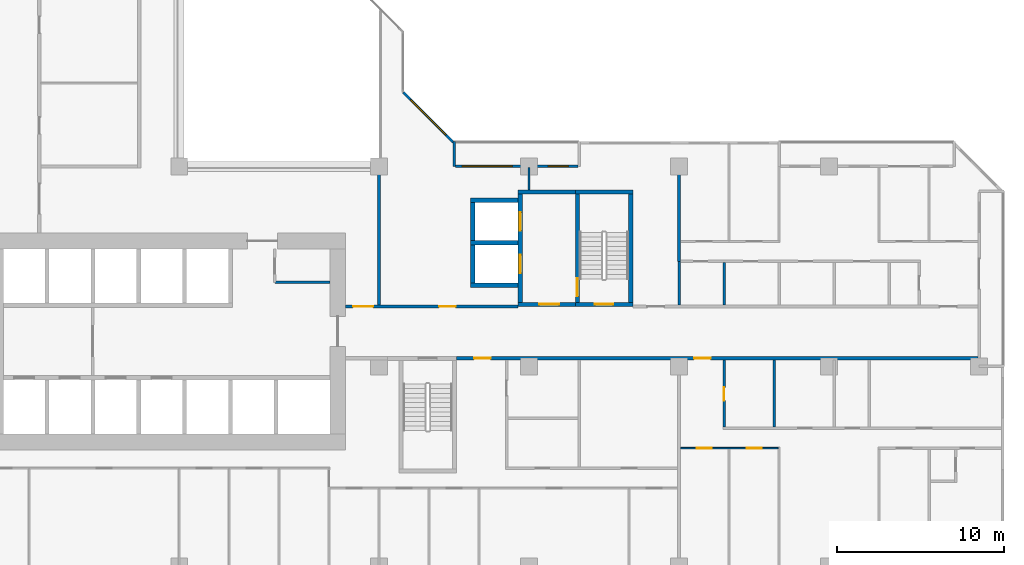
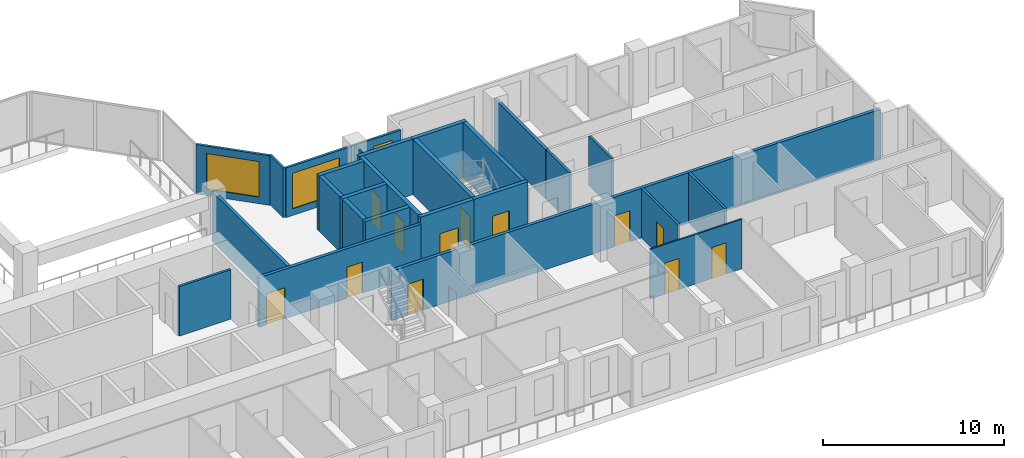
# One storey, part 7 of 16: 26 walls, 12 doors, 3 windows, 15 openings.
"""IFC4 building model written with IfcOpenShell, lengths in metres."""

from ifc_helpers import new_model, si_unit, direction, frame, frame_2d, origin, place, context, subcontext, project, spatial, rectangle, extrude, material, layer, layer_set, type_object, element, fill, save


model = new_model("IFC4")

# Units and contexts
model_context = context("Model", 3, precision=1e-05, world=origin(), true_north=direction((0.0, 1.0)))
body_context = subcontext(model_context, "Body", "Model", "MODEL_VIEW")
ifc_project = project(units=[si_unit("LENGTHUNIT", "METRE"), si_unit("AREAUNIT", "SQUARE_METRE"), si_unit("VOLUMEUNIT", "CUBIC_METRE"), si_unit("PLANEANGLEUNIT", "RADIAN"), si_unit("MASSUNIT", "GRAM", prefix="KILO")], contexts=[model_context])

# Site, building, storey
site_placement = place(None, origin())
site = spatial("IfcSite", under=ifc_project, at=site_placement, CompositionType="ELEMENT")
building_placement = place(site_placement, origin())
building = spatial("IfcBuilding", under=site, at=building_placement, Name="Chenar Terraces", CompositionType="ELEMENT")
storey_placement = place(building_placement, frame((0.0, 0.0, 103.14990234375)))
storey = spatial("IfcBuildingStorey", under=building, at=storey_placement, Name="L23", CompositionType="ELEMENT", Elevation=103.14990234375)

# Wall
ifc_material_1 = material(Name="Gypsum board on steel studs", Category="steel")
ifc_layer_1 = layer(ifc_material_1, 0.14990234375)
ifc_layer_set_1 = layer_set([ifc_layer_1], Name="Gypsum board on steel studs")
wall_type_1 = type_object("IfcWallType", Name="Core partition 150 gypsum board", PredefinedType="PARTITIONING", material=ifc_layer_set_1)
wall_1_placement = place(storey_placement, frame((29.75, 17.050048828125, 0.0), z_axis=(0.0, 0.0, 1.0), x_axis=(1.0, 0.0, 0.0)))
element("IfcWall", 1, at=wall_1_placement, inside=storey, type_object=wall_type_1, Name="Core partition CP1 vestibule room south wall", PredefinedType="PARTITIONING", context=body_context, shape_type="SweptSolid", body=[
    extrude(rectangle(XDim=3.300048828125, YDim=0.14990234375, at=frame_2d((1.64990234375, 0.0))), origin(), (0.0, 0.0, 1.0), 3.35009765625),
])

# Wall, opening, door
ifc_material_2 = material(Name="Concrete C70/85", Category="concrete")
ifc_layer_2 = layer(ifc_material_2, 0.25)
ifc_layer_set_2 = layer_set([ifc_layer_2], Name="Concrete C70/85")
wall_type_2 = type_object("IfcWallType", Name="Core wall 250 Concrete C70/85", PredefinedType="SHEAR", material=ifc_layer_set_2)
wall_2_placement = place(storey_placement, frame((47.77490234375, 15.72509765625, 0.0), z_axis=(0.0, 0.0, 1.0), x_axis=(1.0, 0.0, 0.0)))
wall_2 = element("IfcWall", 2, at=wall_2_placement, inside=storey, type_object=wall_type_2, Name="Core wall ST3_S L23", PredefinedType="SHEAR", context=body_context, shape_type="SweptSolid", body=[
    extrude(rectangle(XDim=3.4501953125, YDim=0.25, at=frame_2d((1.72509765625, 0.0))), origin(), (0.0, 0.0, 1.0), 3.75),
])
opening_1_placement = place(wall_2_placement, frame((1.175048828125, 0.0, 0.0)))
opening_1 = element("IfcOpeningElement", 3, at=opening_1_placement, cuts=wall_2, Name="Opening DL23-C8", PredefinedType="OPENING", context=body_context, shape_type="SweptSolid", body=[
    extrude(rectangle(XDim=1.10009765625, YDim=2.199951171875, at=frame_2d((0.550048828125, 1.10009765625))), frame((0.0, 0.135009765625, 0.0), z_axis=(0.0, -1.0, 0.0), x_axis=(1.0, 0.0, 0.0)), (0.0, 0.0, 1.0), 0.27001953125),
])
ifc_material_3 = material(Name="Steel-framed fire-resisting door leaf", Category="steel")
door_type_1 = type_object("IfcDoorType", Name="Stair fire door FD60 1100 x 2200", OperationType="SINGLE_SWING_LEFT", PredefinedType="DOOR", material=ifc_material_3)
door_1_placement = place(opening_1_placement, frame((1.10009765625, 0.0, 0.0), z_axis=(0.0, 0.0, 1.0), x_axis=(-1.0, 0.0, 0.0)))
door_1 = element("IfcDoor", 4, at=door_1_placement, inside=storey, type_object=door_type_1, Name="Stair door DL23-C8", OperationType="SINGLE_SWING_LEFT", OverallHeight=2.199951171875, OverallWidth=1.10009765625, PredefinedType="DOOR", context=body_context, shape_type="SweptSolid", body=[
    extrude(rectangle(XDim=1.10009765625, YDim=2.199951171875, at=frame_2d((0.550048828125, 1.10009765625))), frame((0.0, 0.02490234375, 0.0), z_axis=(0.0, -1.0, 0.0), x_axis=(1.0, 0.0, 0.0)), (0.0, 0.0, 1.0), 0.050048828125),
])
fill(opening_1, door_1)

# Wall
wall_3_placement = place(storey_placement, frame((47.77490234375, 22.47509765625, 0.0), z_axis=(0.0, 0.0, 1.0), x_axis=(1.0, 0.0, 0.0)))
element("IfcWall", 5, at=wall_3_placement, inside=storey, type_object=wall_type_2, Name="Core wall ST3_N L23", PredefinedType="SHEAR", context=body_context, shape_type="SweptSolid", body=[
    extrude(rectangle(XDim=3.4501953125, YDim=0.25, at=frame_2d((1.72509765625, 0.0))), origin(), (0.0, 0.0, 1.0), 3.75),
])

# Wall, opening, door
wall_4_placement = place(storey_placement, frame((47.89990234375, 15.85009765625, 0.0), z_axis=(0.0, 0.0, 1.0), x_axis=(0.0, 1.0, 0.0)))
wall_4 = element("IfcWall", 6, at=wall_4_placement, inside=storey, type_object=wall_type_2, Name="Core wall ST3_W L23", PredefinedType="SHEAR", context=body_context, shape_type="SweptSolid", body=[
    extrude(rectangle(XDim=6.5, YDim=0.25, at=frame_2d((3.25, 0.0))), origin(), (0.0, 0.0, 1.0), 3.75),
])
opening_2_placement = place(wall_4_placement, frame((0.35009765625, 0.0, 0.0)))
opening_2 = element("IfcOpeningElement", 7, at=opening_2_placement, cuts=wall_4, Name="Opening DL23-C11", PredefinedType="OPENING", context=body_context, shape_type="SweptSolid", body=[
    extrude(rectangle(XDim=1.10009765625, YDim=2.199951171875, at=frame_2d((0.550048828125, 1.10009765625))), frame((0.0, 0.135009765625, 0.0), z_axis=(0.0, -1.0, 0.0), x_axis=(1.0, 0.0, 0.0)), (0.0, 0.0, 1.0), 0.27001953125),
])
door_2_placement = place(opening_2_placement, frame((1.10009765625, 0.0, 0.0), z_axis=(0.0, 0.0, 1.0), x_axis=(-1.0, 0.0, 0.0)))
door_2 = element("IfcDoor", 8, at=door_2_placement, inside=storey, type_object=door_type_1, Name="Stair door DL23-C11", OperationType="SINGLE_SWING_RIGHT", OverallHeight=2.199951171875, OverallWidth=1.10009765625, PredefinedType="DOOR", context=body_context, shape_type="SweptSolid", body=[
    extrude(rectangle(XDim=1.10009765625, YDim=2.199951171875, at=frame_2d((0.550048828125, 1.10009765625))), frame((0.0, 0.02490234375, 0.0), z_axis=(0.0, -1.0, 0.0), x_axis=(1.0, 0.0, 0.0)), (0.0, 0.0, 1.0), 0.050048828125),
])
fill(opening_2, door_2)

# Wall
wall_5_placement = place(storey_placement, frame((51.10009765625, 15.85009765625, 0.0), z_axis=(0.0, 0.0, 1.0), x_axis=(0.0, 1.0, 0.0)))
element("IfcWall", 9, at=wall_5_placement, inside=storey, type_object=wall_type_2, Name="Core wall ST3_E L23", PredefinedType="SHEAR", context=body_context, shape_type="SweptSolid", body=[
    extrude(rectangle(XDim=6.5, YDim=0.25, at=frame_2d((3.25, 0.0))), origin(), (0.0, 0.0, 1.0), 3.75),
])

# Wall, opening, door
wall_6_placement = place(storey_placement, frame((44.35009765625, 15.72509765625, 0.0), z_axis=(0.0, 0.0, 1.0), x_axis=(1.0, 0.0, 0.0)))
wall_6 = element("IfcWall", 10, at=wall_6_placement, inside=storey, type_object=wall_type_2, Name="Core wall F3_LS L23", PredefinedType="SHEAR", context=body_context, shape_type="SweptSolid", body=[
    extrude(rectangle(XDim=3.4248046875, YDim=0.25, at=frame_2d((1.71240234375, 0.0))), origin(), (0.0, 0.0, 1.0), 3.75),
])
opening_3_placement = place(wall_6_placement, frame((1.25, 0.0, 0.0)))
opening_3 = element("IfcOpeningElement", 11, at=opening_3_placement, cuts=wall_6, Name="Opening DL23-C10", PredefinedType="OPENING", context=body_context, shape_type="SweptSolid", body=[
    extrude(rectangle(XDim=1.199951171875, YDim=2.199951171875, at=frame_2d((0.60009765625, 1.10009765625))), frame((0.0, 0.135009765625, 0.0), z_axis=(0.0, -1.0, 0.0), x_axis=(1.0, 0.0, 0.0)), (0.0, 0.0, 1.0), 0.27001953125),
])
ifc_material_4 = material(Name="Steel-framed fire-resisting door leaf", Category="steel")
door_type_2 = type_object("IfcDoorType", Name="Lobby fire door FD60 1200 x 2200", OperationType="SINGLE_SWING_LEFT", PredefinedType="DOOR", material=ifc_material_4)
door_3_placement = place(opening_3_placement, origin())
door_3 = element("IfcDoor", 12, at=door_3_placement, inside=storey, type_object=door_type_2, Name="Core door DL23-C10", OperationType="SINGLE_SWING_RIGHT", OverallHeight=2.199951171875, OverallWidth=1.199951171875, PredefinedType="DOOR", context=body_context, shape_type="SweptSolid", body=[
    extrude(rectangle(XDim=1.199951171875, YDim=2.199951171875, at=frame_2d((0.60009765625, 1.10009765625))), frame((0.0, 0.02490234375, 0.0), z_axis=(0.0, -1.0, 0.0), x_axis=(1.0, 0.0, 0.0)), (0.0, 0.0, 1.0), 0.050048828125),
])
fill(opening_3, door_3)

# Wall
wall_7_placement = place(storey_placement, frame((44.35009765625, 22.47509765625, 0.0), z_axis=(0.0, 0.0, 1.0), x_axis=(1.0, 0.0, 0.0)))
element("IfcWall", 13, at=wall_7_placement, inside=storey, type_object=wall_type_2, Name="Core wall F3_LN L23", PredefinedType="SHEAR", context=body_context, shape_type="SweptSolid", body=[
    extrude(rectangle(XDim=3.4248046875, YDim=0.25, at=frame_2d((1.71240234375, 0.0))), origin(), (0.0, 0.0, 1.0), 3.75),
])

# Wall, openings, doors
wall_8_placement = place(storey_placement, frame((44.47509765625, 15.85009765625, 0.0), z_axis=(0.0, 0.0, 1.0), x_axis=(0.0, 1.0, 0.0)))
wall_8 = element("IfcWall", 14, at=wall_8_placement, inside=storey, type_object=wall_type_2, Name="Core wall F3_LW L23", PredefinedType="SHEAR", context=body_context, shape_type="SweptSolid", body=[
    extrude(rectangle(XDim=6.5, YDim=0.25, at=frame_2d((3.25, 0.0))), origin(), (0.0, 0.0, 1.0), 3.75),
])
opening_4_placement = place(wall_8_placement, frame((1.75, 0.0, 0.0)))
opening_4 = element("IfcOpeningElement", 15, at=opening_4_placement, cuts=wall_8, Name="Opening DL23-LD8", PredefinedType="OPENING", context=body_context, shape_type="SweptSolid", body=[
    extrude(rectangle(XDim=1.10009765625, YDim=2.199951171875, at=frame_2d((0.550048828125, 1.10009765625))), frame((0.0, 0.135009765625, 0.0), z_axis=(0.0, -1.0, 0.0), x_axis=(1.0, 0.0, 0.0)), (0.0, 0.0, 1.0), 0.27001953125),
])
opening_5_placement = place(wall_8_placement, frame((4.300048828125, 0.0, 0.0)))
opening_5 = element("IfcOpeningElement", 16, at=opening_5_placement, cuts=wall_8, Name="Opening DL23-LD9", PredefinedType="OPENING", context=body_context, shape_type="SweptSolid", body=[
    extrude(rectangle(XDim=1.10009765625, YDim=2.199951171875, at=frame_2d((0.550048828125, 1.10009765625))), frame((0.0, 0.135009765625, 0.0), z_axis=(0.0, -1.0, 0.0), x_axis=(1.0, 0.0, 0.0)), (0.0, 0.0, 1.0), 0.27001953125),
])
ifc_material_5 = material(Name="Stainless steel", Category="steel")
door_type_3 = type_object("IfcDoorType", Name="Lift landing door 1100 x 2200 sliding", OperationType="DOUBLE_DOOR_SLIDING", PredefinedType="DOOR", material=ifc_material_5)
door_4_placement = place(opening_4_placement, origin())
door_4 = element("IfcDoor", 17, at=door_4_placement, inside=storey, type_object=door_type_3, Name="Landing door F3", OperationType="DOUBLE_DOOR_SLIDING", OverallHeight=2.199951171875, OverallWidth=1.10009765625, PredefinedType="DOOR", context=body_context, shape_type="SweptSolid", body=[
    extrude(rectangle(XDim=1.10009765625, YDim=2.199951171875, at=frame_2d((0.550048828125, 1.10009765625))), frame((0.0, 0.02490234375, 0.0), z_axis=(0.0, -1.0, 0.0), x_axis=(1.0, 0.0, 0.0)), (0.0, 0.0, 1.0), 0.050048828125),
])
fill(opening_4, door_4)
door_5_placement = place(opening_5_placement, origin())
door_5 = element("IfcDoor", 18, at=door_5_placement, inside=storey, type_object=door_type_3, Name="Landing door F4", OperationType="DOUBLE_DOOR_SLIDING", OverallHeight=2.199951171875, OverallWidth=1.10009765625, PredefinedType="DOOR", context=body_context, shape_type="SweptSolid", body=[
    extrude(rectangle(XDim=1.10009765625, YDim=2.199951171875, at=frame_2d((0.550048828125, 1.10009765625))), frame((0.0, 0.02490234375, 0.0), z_axis=(0.0, -1.0, 0.0), x_axis=(1.0, 0.0, 0.0)), (0.0, 0.0, 1.0), 0.050048828125),
])
fill(opening_5, door_5)

# Walls
for number, where, z_axis, x_axis, name in (
    (19, (41.5, 16.875, 0.0), (0.0, 0.0, 1.0), (1.0, 0.0, 0.0), "Core wall F3_SS L23"),
    (20, (41.5, 19.425048828125, 0.0), (0.0, 0.0, 1.0), (1.0, 0.0, 0.0), "Core wall F3_SM L23"),
    (21, (41.5, 21.97509765625, 0.0), (0.0, 0.0, 1.0), (1.0, 0.0, 0.0), "Core wall F4_SN L23"),
):
    element("IfcWall", number, at=place(storey_placement, frame(where, z_axis=z_axis, x_axis=x_axis)), inside=storey, type_object=wall_type_2, Name=name, PredefinedType="SHEAR", context=body_context, shape_type="SweptSolid", body=[
        extrude(rectangle(XDim=2.85009765625, YDim=0.25, at=frame_2d((1.425048828125, 0.0))), origin(), (0.0, 0.0, 1.0), 3.75),
    ])
for number, where, z_axis, x_axis, name in (
    (22, (41.625, 17.0, 0.0), (0.0, 0.0, 1.0), (0.0, 1.0, 0.0), "Core wall F3_SW L23"),
    (23, (41.625, 19.550048828125, 0.0), (0.0, 0.0, 1.0), (0.0, 1.0, 0.0), "Core wall F4_SW L23"),
):
    element("IfcWall", number, at=place(storey_placement, frame(where, z_axis=z_axis, x_axis=x_axis)), inside=storey, type_object=wall_type_2, Name=name, PredefinedType="SHEAR", context=body_context, shape_type="SweptSolid", body=[
        extrude(rectangle(XDim=2.300048828125, YDim=0.25, at=frame_2d((1.14990234375, 0.0))), origin(), (0.0, 0.0, 1.0), 3.75),
    ])

# Wall, openings, doors
ifc_material_6 = material(Name="Gypsum board on steel studs with fire boards", Category="steel")
ifc_layer_3 = layer(ifc_material_6, 0.199951171875)
ifc_layer_set_3 = layer_set([ifc_layer_3], Name="Gypsum board on steel studs with fire boards")
wall_type_3 = type_object("IfcWallType", Name="Corridor wall 200", PredefinedType="PARTITIONING", material=ifc_layer_set_3)
wall_9_placement = place(storey_placement, frame((34.0, 15.60009765625, 0.0), z_axis=(0.0, 0.0, 1.0), x_axis=(1.0, 0.0, 0.0)))
wall_9 = element("IfcWall", 24, at=wall_9_placement, inside=storey, type_object=wall_type_3, Name="Partition L23-062", PredefinedType="PARTITIONING", context=body_context, shape_type="SweptSolid", body=[
    extrude(rectangle(XDim=10.35009765625, YDim=0.199951171875, at=frame_2d((5.175048828125, 0.0))), origin(), (0.0, 0.0, 1.0), 3.35009765625),
])
opening_6_placement = place(wall_9_placement, frame((5.60009765625, 0.0, 0.0)))
opening_6 = element("IfcOpeningElement", 25, at=opening_6_placement, cuts=wall_9, Name="Opening DL23-3", PredefinedType="OPENING", context=body_context, shape_type="SweptSolid", body=[
    extrude(rectangle(XDim=1.0, YDim=2.10009765625, at=frame_2d((0.5, 1.050048828125))), frame((0.0, 0.10986328125, 0.0), z_axis=(0.0, -1.0, 0.0), x_axis=(1.0, 0.0, 0.0)), (0.0, 0.0, 1.0), 0.219970703125),
])
opening_7_placement = place(wall_9_placement, frame((0.449951171875, 0.0, 0.0)))
opening_7 = element("IfcOpeningElement", 26, at=opening_7_placement, cuts=wall_9, Name="Opening DL23-48", PredefinedType="OPENING", context=body_context, shape_type="SweptSolid", body=[
    extrude(rectangle(XDim=1.199951171875, YDim=2.10009765625, at=frame_2d((0.60009765625, 1.050048828125))), frame((0.0, 0.10986328125, 0.0), z_axis=(0.0, -1.0, 0.0), x_axis=(1.0, 0.0, 0.0)), (0.0, 0.0, 1.0), 0.219970703125),
])
ifc_material_7 = material(Name="Steel-framed fire-resisting door leaf", Category="steel")
door_type_4 = type_object("IfcDoorType", Name="Fire door FD60 1000 x 2100", OperationType="SINGLE_SWING_LEFT", PredefinedType="DOOR", material=ifc_material_7)
door_6_placement = place(opening_6_placement, origin())
door_6 = element("IfcDoor", 27, at=door_6_placement, inside=storey, type_object=door_type_4, Name="Door DL23-3", OperationType="SINGLE_SWING_RIGHT", OverallHeight=2.10009765625, OverallWidth=1.0, PredefinedType="DOOR", context=body_context, shape_type="SweptSolid", body=[
    extrude(rectangle(XDim=1.0, YDim=2.10009765625, at=frame_2d((0.5, 1.050048828125))), frame((0.0, 0.02490234375, 0.0), z_axis=(0.0, -1.0, 0.0), x_axis=(1.0, 0.0, 0.0)), (0.0, 0.0, 1.0), 0.050048828125),
])
fill(opening_6, door_6)
ifc_material_8 = material(Name="Steel-framed fire-resisting door leaf", Category="steel")
door_type_5 = type_object("IfcDoorType", Name="Fire door FD60 1200 x 2100", OperationType="SINGLE_SWING_LEFT", PredefinedType="DOOR", material=ifc_material_8)
door_7_placement = place(opening_7_placement, origin())
door_7 = element("IfcDoor", 28, at=door_7_placement, inside=storey, type_object=door_type_5, Name="Door DL23-48", OperationType="SINGLE_SWING_RIGHT", OverallHeight=2.10009765625, OverallWidth=1.199951171875, PredefinedType="DOOR", context=body_context, shape_type="SweptSolid", body=[
    extrude(rectangle(XDim=1.199951171875, YDim=2.10009765625, at=frame_2d((0.60009765625, 1.050048828125))), frame((0.0, 0.02490234375, 0.0), z_axis=(0.0, -1.0, 0.0), x_axis=(1.0, 0.0, 0.0)), (0.0, 0.0, 1.0), 0.050048828125),
])
fill(opening_7, door_7)

# Wall
wall_10_placement = place(storey_placement, frame((36.0, 15.699951171875, 0.0), z_axis=(0.0, 0.0, 1.0), x_axis=(0.0, 1.0, 0.0)))
element("IfcWall", 29, at=wall_10_placement, inside=storey, type_object=wall_type_3, Name="Partition L23-064", PredefinedType="PARTITIONING", context=body_context, shape_type="SweptSolid", body=[
    extrude(rectangle(XDim=8.300048828125, YDim=0.199951171875, at=frame_2d((4.14990234375, 0.0))), origin(), (0.0, 0.0, 1.0), 3.35009765625),
])

# Wall, openings, doors
wall_11_placement = place(storey_placement, frame((40.64990234375, 12.5, 0.0), z_axis=(0.0, 0.0, 1.0), x_axis=(1.0, 0.0, 0.0)))
wall_11 = element("IfcWall", 30, at=wall_11_placement, inside=storey, type_object=wall_type_3, Name="Partition L23-066", PredefinedType="PARTITIONING", context=body_context, shape_type="SweptSolid", body=[
    extrude(rectangle(XDim=31.276123046875, YDim=0.199951171875, at=frame_2d((15.63818359375, 0.0))), origin(), (0.0, 0.0, 1.0), 3.35009765625),
])
opening_8_placement = place(wall_11_placement, frame((14.25, 0.0, 0.0)))
opening_8 = element("IfcOpeningElement", 31, at=opening_8_placement, cuts=wall_11, Name="Opening DL23-18", PredefinedType="OPENING", context=body_context, shape_type="SweptSolid", body=[
    extrude(rectangle(XDim=1.0, YDim=2.10009765625, at=frame_2d((0.5, 1.050048828125))), frame((0.0, 0.10986328125, 0.0), z_axis=(0.0, -1.0, 0.0), x_axis=(1.0, 0.0, 0.0)), (0.0, 0.0, 1.0), 0.219970703125),
])
opening_9_placement = place(wall_11_placement, frame((1.050048828125, 0.0, 0.0)))
opening_9 = element("IfcOpeningElement", 32, at=opening_9_placement, cuts=wall_11, Name="Opening DL23-64", PredefinedType="OPENING", context=body_context, shape_type="SweptSolid", body=[
    extrude(rectangle(XDim=1.0, YDim=2.10009765625, at=frame_2d((0.5, 1.050048828125))), frame((0.0, 0.10986328125, 0.0), z_axis=(0.0, -1.0, 0.0), x_axis=(1.0, 0.0, 0.0)), (0.0, 0.0, 1.0), 0.219970703125),
])
ifc_material_9 = material(Name="Steel-framed fire-resisting door leaf", Category="steel")
door_type_6 = type_object("IfcDoorType", Name="Fire door FD30S 1000 x 2100", OperationType="SINGLE_SWING_LEFT", PredefinedType="DOOR", material=ifc_material_9)
door_8_placement = place(opening_8_placement, frame((1.0, 0.0, 0.0), z_axis=(0.0, 0.0, 1.0), x_axis=(-1.0, 0.0, 0.0)))
door_8 = element("IfcDoor", 33, at=door_8_placement, inside=storey, type_object=door_type_6, Name="Door DL23-18", OperationType="SINGLE_SWING_RIGHT", OverallHeight=2.10009765625, OverallWidth=1.0, PredefinedType="DOOR", context=body_context, shape_type="SweptSolid", body=[
    extrude(rectangle(XDim=1.0, YDim=2.10009765625, at=frame_2d((0.5, 1.050048828125))), frame((0.0, 0.02490234375, 0.0), z_axis=(0.0, -1.0, 0.0), x_axis=(1.0, 0.0, 0.0)), (0.0, 0.0, 1.0), 0.050048828125),
])
fill(opening_8, door_8)
door_9_placement = place(opening_9_placement, origin())
door_9 = element("IfcDoor", 34, at=door_9_placement, inside=storey, type_object=door_type_6, Name="Door DL23-64", OperationType="SINGLE_SWING_RIGHT", OverallHeight=2.10009765625, OverallWidth=1.0, PredefinedType="DOOR", context=body_context, shape_type="SweptSolid", body=[
    extrude(rectangle(XDim=1.0, YDim=2.10009765625, at=frame_2d((0.5, 1.050048828125))), frame((0.0, 0.02490234375, 0.0), z_axis=(0.0, -1.0, 0.0), x_axis=(1.0, 0.0, 0.0)), (0.0, 0.0, 1.0), 0.050048828125),
])
fill(opening_9, door_9)

# Wall, openings, windows
ifc_material_10 = material(Name="Aluminium framed glazing", Category="aluminium")
ifc_layer_4 = layer(ifc_material_10, 0.14990234375)
ifc_layer_set_4 = layer_set([ifc_layer_4], Name="Aluminium framed glazing")
wall_type_4 = type_object("IfcWallType", Name="Glazed loggia back wall 150", PredefinedType="SOLIDWALL", material=ifc_layer_set_4)
wall_12_placement = place(storey_placement, frame((47.925048828125, 24.0, 0.0), z_axis=(0.0, 0.0, 1.0), x_axis=(-1.0, 0.0, 0.0)))
wall_12 = element("IfcWall", 35, at=wall_12_placement, inside=storey, type_object=wall_type_4, Name="Glazed loggia back wall", PredefinedType="SOLIDWALL", context=body_context, shape_type="SweptSolid", body=[
    extrude(rectangle(XDim=7.35009765625, YDim=0.14990234375, at=frame_2d((3.675048828125, 0.0))), origin(), (0.0, 0.0, 1.0), 3.35009765625),
])
opening_10_placement = place(wall_12_placement, frame((0.5625, 0.0, 0.449951171875)))
opening_10 = element("IfcOpeningElement", 36, at=opening_10_placement, cuts=wall_12, Name="Opening W120x240", PredefinedType="OPENING", context=body_context, shape_type="SweptSolid", body=[
    extrude(rectangle(XDim=1.199951171875, YDim=2.39990234375, at=frame_2d((0.60009765625, 1.199951171875))), frame((0.0, 0.0849609375, 0.0), z_axis=(0.0, -1.0, 0.0), x_axis=(1.0, 0.0, 0.0)), (0.0, 0.0, 1.0), 0.169921875),
])
opening_11_placement = place(wall_12_placement, frame((3.9375, 0.0, 0.449951171875)))
opening_11 = element("IfcOpeningElement", 37, at=opening_11_placement, cuts=wall_12, Name="Opening W300x240", PredefinedType="OPENING", context=body_context, shape_type="SweptSolid", body=[
    extrude(rectangle(XDim=3.0, YDim=2.39990234375, at=frame_2d((1.5, 1.199951171875))), frame((0.0, 0.0849609375, 0.0), z_axis=(0.0, -1.0, 0.0), x_axis=(1.0, 0.0, 0.0)), (0.0, 0.0, 1.0), 0.169921875),
])
ifc_material_11 = material(Name="Low emissivity double glazing, aluminium frame", Category="aluminium")
window_type_1 = type_object("IfcWindowType", Name="Fixed light 1200 x 2400", PartitioningType="SINGLE_PANEL", PredefinedType="WINDOW", material=ifc_material_11)
window_1_placement = place(opening_10_placement, origin())
window_1 = element("IfcWindow", 38, at=window_1_placement, inside=storey, type_object=window_type_1, Name="Window", OverallHeight=2.39990234375, OverallWidth=1.199951171875, PartitioningType="SINGLE_PANEL", PredefinedType="WINDOW", context=body_context, shape_type="SweptSolid", body=[
    extrude(rectangle(XDim=1.199951171875, YDim=2.39990234375, at=frame_2d((0.60009765625, 1.199951171875))), frame((0.0, 0.030029296875, 0.0), z_axis=(0.0, -1.0, 0.0), x_axis=(1.0, 0.0, 0.0)), (0.0, 0.0, 1.0), 0.06005859375),
])
fill(opening_10, window_1)
ifc_material_12 = material(Name="Low emissivity double glazing, aluminium frame", Category="aluminium")
window_type_2 = type_object("IfcWindowType", Name="Fixed light 3000 x 2400", PartitioningType="SINGLE_PANEL", PredefinedType="WINDOW", material=ifc_material_12)
window_2_placement = place(opening_11_placement, origin())
window_2 = element("IfcWindow", 39, at=window_2_placement, inside=storey, type_object=window_type_2, Name="Window", OverallHeight=2.39990234375, OverallWidth=3.0, PartitioningType="SINGLE_PANEL", PredefinedType="WINDOW", context=body_context, shape_type="SweptSolid", body=[
    extrude(rectangle(XDim=3.0, YDim=2.39990234375, at=frame_2d((1.5, 1.199951171875))), frame((0.0, 0.030029296875, 0.0), z_axis=(0.0, -1.0, 0.0), x_axis=(1.0, 0.0, 0.0)), (0.0, 0.0, 1.0), 0.06005859375),
])
fill(opening_11, window_2)

# Wall
ifc_material_13 = material(Name="Gypsum board on steel studs", Category="steel")
ifc_layer_5 = layer(ifc_material_13, 0.10009765625)
ifc_layer_set_5 = layer_set([ifc_layer_5], Name="Gypsum board on steel studs")
wall_type_5 = type_object("IfcWallType", Name="Gypsum partition 100", PredefinedType="PARTITIONING", material=ifc_layer_set_5)
wall_13_placement = place(storey_placement, frame((45.0, 22.60009765625, 0.0), z_axis=(0.0, 0.0, 1.0), x_axis=(0.0, 1.0, 0.0)))
element("IfcWall", 40, at=wall_13_placement, inside=storey, type_object=wall_type_5, Name="Partition L23-071", PredefinedType="PARTITIONING", context=body_context, shape_type="SweptSolid", body=[
    extrude(rectangle(XDim=1.325927734375, YDim=0.10009765625, at=frame_2d((0.6630859375, 0.0))), origin(), (0.0, 0.0, 1.0), 3.35009765625),
])

# Wall, openings, doors
wall_14_placement = place(storey_placement, frame((54.10009765625, 7.10009765625, 0.0), z_axis=(0.0, 0.0, 1.0), x_axis=(1.0, 0.0, 0.0)))
wall_14 = element("IfcWall", 41, at=wall_14_placement, inside=storey, type_object=wall_type_5, Name="Partition L23-078", PredefinedType="PARTITIONING", context=body_context, shape_type="SweptSolid", body=[
    extrude(rectangle(XDim=5.849853515625, YDim=0.10009765625, at=frame_2d((2.9248046875, 0.0))), origin(), (0.0, 0.0, 1.0), 3.35009765625),
])
opening_12_placement = place(wall_14_placement, frame((0.949951171875, 0.0, 0.0)))
opening_12 = element("IfcOpeningElement", 42, at=opening_12_placement, cuts=wall_14, Name="Opening DL23-15", PredefinedType="OPENING", context=body_context, shape_type="SweptSolid", body=[
    extrude(rectangle(XDim=0.89990234375, YDim=2.10009765625, at=frame_2d((0.449951171875, 1.050048828125))), frame((0.0, 0.06005859375, 0.0), z_axis=(0.0, -1.0, 0.0), x_axis=(1.0, 0.0, 0.0)), (0.0, 0.0, 1.0), 0.1201171875),
])
opening_13_placement = place(wall_14_placement, frame((3.949951171875, 0.0, 0.0)))
opening_13 = element("IfcOpeningElement", 43, at=opening_13_placement, cuts=wall_14, Name="Opening DL23-16", PredefinedType="OPENING", context=body_context, shape_type="SweptSolid", body=[
    extrude(rectangle(XDim=0.89990234375, YDim=2.10009765625, at=frame_2d((0.449951171875, 1.050048828125))), frame((0.0, 0.06005859375, 0.0), z_axis=(0.0, -1.0, 0.0), x_axis=(1.0, 0.0, 0.0)), (0.0, 0.0, 1.0), 0.1201171875),
])
ifc_material_14 = material(Name="Veneered timber door leaf", Category="wood")
door_type_7 = type_object("IfcDoorType", Name="Door 900 x 2100", OperationType="SINGLE_SWING_LEFT", PredefinedType="DOOR", material=ifc_material_14)
door_10_placement = place(opening_12_placement, frame((0.89990234375, 0.0, 0.0), z_axis=(0.0, 0.0, 1.0), x_axis=(-1.0, 0.0, 0.0)))
door_10 = element("IfcDoor", 44, at=door_10_placement, inside=storey, type_object=door_type_7, Name="Door DL23-15", OperationType="SINGLE_SWING_LEFT", OverallHeight=2.10009765625, OverallWidth=0.89990234375, PredefinedType="DOOR", context=body_context, shape_type="SweptSolid", body=[
    extrude(rectangle(XDim=0.89990234375, YDim=2.10009765625, at=frame_2d((0.449951171875, 1.050048828125))), frame((0.0, 0.02490234375, 0.0), z_axis=(0.0, -1.0, 0.0), x_axis=(1.0, 0.0, 0.0)), (0.0, 0.0, 1.0), 0.050048828125),
])
fill(opening_12, door_10)
door_11_placement = place(opening_13_placement, frame((0.89990234375, 0.0, 0.0), z_axis=(0.0, 0.0, 1.0), x_axis=(-1.0, 0.0, 0.0)))
door_11 = element("IfcDoor", 45, at=door_11_placement, inside=storey, type_object=door_type_7, Name="Door DL23-16", OperationType="SINGLE_SWING_LEFT", OverallHeight=2.10009765625, OverallWidth=0.89990234375, PredefinedType="DOOR", context=body_context, shape_type="SweptSolid", body=[
    extrude(rectangle(XDim=0.89990234375, YDim=2.10009765625, at=frame_2d((0.449951171875, 1.050048828125))), frame((0.0, 0.02490234375, 0.0), z_axis=(0.0, -1.0, 0.0), x_axis=(1.0, 0.0, 0.0)), (0.0, 0.0, 1.0), 0.050048828125),
])
fill(opening_13, door_11)

# Wall
ifc_material_15 = material(Name="Terracotta cladding on insulated backing", Category="masonry")
ifc_layer_6 = layer(ifc_material_15, 0.14990234375)
ifc_layer_set_6 = layer_set([ifc_layer_6], Name="Terracotta cladding on insulated backing")
wall_type_6 = type_object("IfcWallType", Name="Loggia return wall 150", PredefinedType="SOLIDWALL", material=ifc_layer_set_6)
wall_15_placement = place(storey_placement, frame((40.5, 25.5, 0.0), z_axis=(0.0, 0.0, 1.0), x_axis=(0.0, -1.0, 0.0)))
element("IfcWall", 46, at=wall_15_placement, inside=storey, type_object=wall_type_6, Name="Loggia return wall", PredefinedType="SOLIDWALL", context=body_context, shape_type="SweptSolid", body=[
    extrude(rectangle(XDim=1.5, YDim=0.14990234375, at=frame_2d((0.75, 0.0))), origin(), (0.0, 0.0, 1.0), 3.35009765625),
])

# Wall, opening, window
ifc_material_16 = material(Name="Terracotta cladding on insulated backing", Category="masonry")
ifc_layer_7 = layer(ifc_material_16, 0.14990234375)
ifc_layer_set_7 = layer_set([ifc_layer_7], Name="Terracotta cladding on insulated backing")
wall_type_7 = type_object("IfcWallType", Name="Terracotta rainscreen wall 150", PredefinedType="SOLIDWALL", material=ifc_layer_set_7)
wall_16_placement = place(storey_placement, frame((40.447021484375, 25.447021484375, 0.0), z_axis=(0.0, 0.0, 1.0), x_axis=(-0.707106781187, 0.707106781187, 0.0)))
wall_16 = element("IfcWall", 47, at=wall_16_placement, inside=storey, type_object=wall_type_7, Name="Terracotta rainscreen wall", PredefinedType="SOLIDWALL", context=body_context, shape_type="SweptSolid", body=[
    extrude(rectangle(XDim=4.24267578125, YDim=0.14990234375, at=frame_2d((2.121337890625, 0.0))), origin(), (0.0, 0.0, 1.0), 3.35009765625),
])
opening_14_placement = place(wall_16_placement, frame((0.621337890625, 0.0, 0.449951171875)))
opening_14 = element("IfcOpeningElement", 48, at=opening_14_placement, cuts=wall_16, Name="Opening W300x240", PredefinedType="OPENING", context=body_context, shape_type="SweptSolid", body=[
    extrude(rectangle(XDim=3.0, YDim=2.39990234375, at=frame_2d((1.5, 1.199951171875))), frame((0.0, 0.0849609375, 0.0), z_axis=(0.0, -1.0, 0.0), x_axis=(1.0, 0.0, 0.0)), (0.0, 0.0, 1.0), 0.169921875),
])
window_3_placement = place(opening_14_placement, origin())
window_3 = element("IfcWindow", 49, at=window_3_placement, inside=storey, type_object=window_type_2, Name="Window", OverallHeight=2.39990234375, OverallWidth=3.0, PartitioningType="SINGLE_PANEL", PredefinedType="WINDOW", context=body_context, shape_type="SweptSolid", body=[
    extrude(rectangle(XDim=3.0, YDim=2.39990234375, at=frame_2d((1.5, 1.199951171875))), frame((0.0, 0.030029296875, 0.0), z_axis=(0.0, -1.0, 0.0), x_axis=(1.0, 0.0, 0.0)), (0.0, 0.0, 1.0), 0.06005859375),
])
fill(opening_14, window_3)

# Walls
ifc_material_17 = material(Name="Twin gypsum board on steel studs with mineral wool", Category="steel")
ifc_layer_8 = layer(ifc_material_17, 0.199951171875)
ifc_layer_set_8 = layer_set([ifc_layer_8], Name="Twin gypsum board on steel studs with mineral wool")
wall_type_8 = type_object("IfcWallType", Name="Unit demising wall 200", PredefinedType="PARTITIONING", material=ifc_layer_set_8)
wall_17_placement = place(storey_placement, frame((54.0, 18.300048828125, 0.0), z_axis=(0.0, 0.0, 1.0), x_axis=(0.0, 1.0, 0.0)))
element("IfcWall", 50, at=wall_17_placement, inside=storey, type_object=wall_type_8, Name="Partition L23-077", PredefinedType="PARTITIONING", context=body_context, shape_type="SweptSolid", body=[
    extrude(rectangle(XDim=5.699951171875, YDim=0.199951171875, at=frame_2d((2.85009765625, 0.0))), origin(), (0.0, 0.0, 1.0), 3.35009765625),
])
ifc_material_18 = material(Name="Moisture-resistant gypsum board on steel studs", Category="steel")
ifc_layer_9 = layer(ifc_material_18, 0.14990234375)
ifc_layer_set_9 = layer_set([ifc_layer_9], Name="Moisture-resistant gypsum board on steel studs")
wall_type_9 = type_object("IfcWallType", Name="Wet-room partition 150", PredefinedType="PARTITIONING", material=ifc_layer_set_9)
wall_18_placement = place(storey_placement, frame((54.0, 15.699951171875, 0.0), z_axis=(0.0, 0.0, 1.0), x_axis=(0.0, 1.0, 0.0)))
element("IfcWall", 51, at=wall_18_placement, inside=storey, type_object=wall_type_9, Name="Partition L23-076", PredefinedType="PARTITIONING", context=body_context, shape_type="SweptSolid", body=[
    extrude(rectangle(XDim=2.60009765625, YDim=0.14990234375, at=frame_2d((1.300048828125, 0.0))), origin(), (0.0, 0.0, 1.0), 3.35009765625),
])

# Wall, opening, door
wall_19_placement = place(storey_placement, frame((56.699951171875, 8.375, 0.0), z_axis=(0.0, 0.0, 1.0), x_axis=(0.0, 1.0, 0.0)))
wall_19 = element("IfcWall", 52, at=wall_19_placement, inside=storey, type_object=wall_type_9, Name="Partition L23-082", PredefinedType="PARTITIONING", context=body_context, shape_type="SweptSolid", body=[
    extrude(rectangle(XDim=4.02490234375, YDim=0.14990234375, at=frame_2d((2.012451171875, 0.0))), origin(), (0.0, 0.0, 1.0), 3.35009765625),
])
opening_15_placement = place(wall_19_placement, frame((1.574951171875, 0.0, 0.0)))
opening_15 = element("IfcOpeningElement", 53, at=opening_15_placement, cuts=wall_19, Name="Opening DL23-22", PredefinedType="OPENING", context=body_context, shape_type="SweptSolid", body=[
    extrude(rectangle(XDim=0.800048828125, YDim=2.10009765625, at=frame_2d((0.39990234375, 1.050048828125))), frame((0.0, 0.0849609375, 0.0), z_axis=(0.0, -1.0, 0.0), x_axis=(1.0, 0.0, 0.0)), (0.0, 0.0, 1.0), 0.169921875),
])
ifc_material_19 = material(Name="Veneered timber door leaf", Category="wood")
door_type_8 = type_object("IfcDoorType", Name="Door 800 x 2100", OperationType="SINGLE_SWING_LEFT", PredefinedType="DOOR", material=ifc_material_19)
door_12_placement = place(opening_15_placement, frame((0.800048828125, 0.0, 0.0), z_axis=(0.0, 0.0, 1.0), x_axis=(-1.0, 0.0, 0.0)))
door_12 = element("IfcDoor", 54, at=door_12_placement, inside=storey, type_object=door_type_8, Name="Door DL23-22", OperationType="SINGLE_SWING_LEFT", OverallHeight=2.10009765625, OverallWidth=0.800048828125, PredefinedType="DOOR", context=body_context, shape_type="SweptSolid", body=[
    extrude(rectangle(XDim=0.800048828125, YDim=2.10009765625, at=frame_2d((0.39990234375, 1.050048828125))), frame((0.0, 0.02490234375, 0.0), z_axis=(0.0, -1.0, 0.0), x_axis=(1.0, 0.0, 0.0)), (0.0, 0.0, 1.0), 0.050048828125),
])
fill(opening_15, door_12)

# Walls
wall_20_placement = place(storey_placement, frame((56.699951171875, 15.699951171875, 0.0), z_axis=(0.0, 0.0, 1.0), x_axis=(0.0, 1.0, 0.0)))
element("IfcWall", 55, at=wall_20_placement, inside=storey, type_object=wall_type_9, Name="Partition L23-083", PredefinedType="PARTITIONING", context=body_context, shape_type="SweptSolid", body=[
    extrude(rectangle(XDim=2.525146484375, YDim=0.14990234375, at=frame_2d((1.2626953125, 0.0))), origin(), (0.0, 0.0, 1.0), 3.35009765625),
])
wall_21_placement = place(storey_placement, frame((59.699951171875, 8.375, 0.0), z_axis=(0.0, 0.0, 1.0), x_axis=(0.0, 1.0, 0.0)))
element("IfcWall", 56, at=wall_21_placement, inside=storey, type_object=wall_type_9, Name="Partition L23-086", PredefinedType="PARTITIONING", context=body_context, shape_type="SweptSolid", body=[
    extrude(rectangle(XDim=4.02490234375, YDim=0.14990234375, at=frame_2d((2.012451171875, 0.0))), origin(), (0.0, 0.0, 1.0), 3.35009765625),
])

save(model, "model.ifc")
